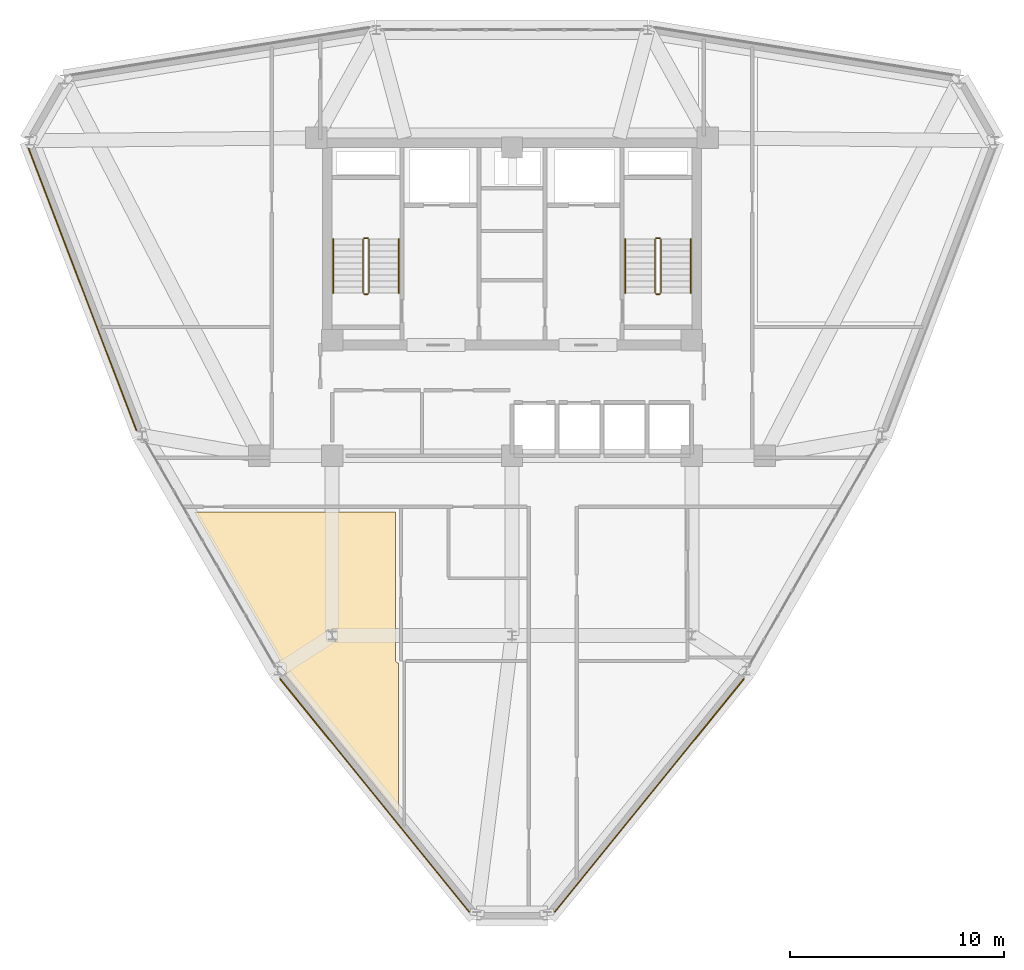
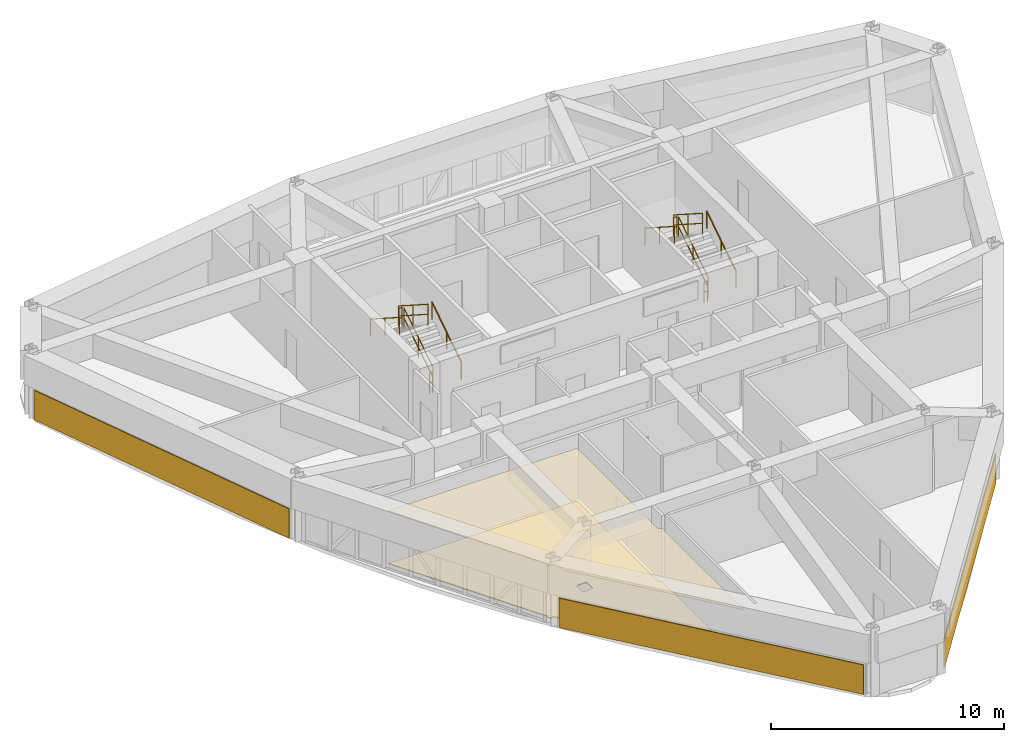
# One storey, part 13 of 14: 12 railings, 5 coverings.
"""IFC4 building model written with IfcOpenShell, lengths in metres."""

from ifc_helpers import new_model, si_unit, derived_unit, direction, frame, origin, origin_2d, place, context, subcontext, project, spatial, polyline, circle, outline, extrude, material, layer, layer_set, type_object, element, save


model = new_model("IFC4")

# Units and contexts
model_context = context("Model", 3, precision=1e-05, world=origin(), true_north=direction((0.0, 1.0)))
body_context = subcontext(model_context, "Body", "Model", "MODEL_VIEW")
ifc_project = project(units=[si_unit("LENGTHUNIT", "METRE"), si_unit("AREAUNIT", "SQUARE_METRE"), si_unit("VOLUMEUNIT", "CUBIC_METRE"), si_unit("PLANEANGLEUNIT", "RADIAN"), si_unit("MASSUNIT", "GRAM", prefix="KILO"), derived_unit("THERMALTRANSMITTANCEUNIT", [(si_unit("POWERUNIT", "WATT"), 1), (si_unit("LENGTHUNIT", "METRE"), -2), (si_unit("THERMODYNAMICTEMPERATUREUNIT", "KELVIN"), -1)])], contexts=[model_context])

# Site, building, storey
site_placement = place(None, origin())
site = spatial("IfcSite", under=ifc_project, at=site_placement, CompositionType="ELEMENT")
building_placement = place(site_placement, origin())
building = spatial("IfcBuilding", under=site, at=building_placement, Name="Korsvarv Bourse and Concert Hall", CompositionType="ELEMENT")
storey_placement = place(building_placement, frame((0.0, 0.0, 175.800048828125)))
storey = spatial("IfcBuildingStorey", under=building, at=storey_placement, Name="L45", CompositionType="ELEMENT", Elevation=175.800048828125)

# Coverings
ifc_material_1 = material(Name="Perforated mineral-wool and birch acoustic baffle ceiling", Category="wood")
ifc_layer_1 = layer(ifc_material_1, 0.02490234375)
ifc_layer_set_1 = layer_set([ifc_layer_1], Name="Perforated mineral-wool and birch acoustic baffle ceiling")
covering_type_1 = type_object("IfcCoveringType", Name="COV-CEIL-1", PredefinedType="CEILING", material=ifc_layer_set_1)
covering_1_placement = place(storey_placement, frame((0.0, 0.0, 2.780029296875)))
element("IfcCovering", 1, at=covering_1_placement, inside=storey, type_object=covering_type_1, Name="L45 acoustic baffle ceiling 3", PredefinedType="CEILING", context=body_context, shape_type="SweptSolid", body=[
    extrude(outline(polyline([(25.084228515625, 22.755615234375), (25.10205078125, 22.785400390625), (25.11376953125, 22.81787109375), (25.118896484375, 22.85205078125), (25.11767578125, 22.88671875), (25.109619140625, 22.92041015625), (25.09521484375, 22.951904296875), (21.172119140625, 29.77001953125), (30.550048828125, 29.77001953125), (30.550048828125, 22.889892578125), (30.5537109375, 22.853759765625), (30.564697265625, 22.819091796875), (30.582275390625, 22.787109375), (30.60595703125, 22.759521484375), (30.634765625, 22.7373046875), (30.66748046875, 22.72119140625), (30.70263671875, 22.712158203125), (30.7099609375, 15.679931640625), (25.444091796875, 22.1689453125), (25.453369140625, 22.56005859375), (25.45068359375, 22.59521484375), (25.44140625, 22.62890625), (25.425537109375, 22.660400390625), (25.404052734375, 22.688232421875), (25.37744140625, 22.711181640625), (25.346923828125, 22.728515625), (25.313720703125, 22.73974609375), (25.27880859375, 22.744140625), (25.084228515625, 22.755615234375)]), holes=[polyline([(27.37939453125, 23.734619140625), (27.805908203125, 23.732421875), (27.82958984375, 23.73828125), (27.84765625, 23.754638671875), (27.855712890625, 23.777587890625), (27.85595703125, 24.217529296875), (27.85009765625, 24.2412109375), (27.833740234375, 24.259033203125), (27.810791015625, 24.267333984375), (27.39404296875, 24.267578125), (27.370361328125, 24.26171875), (27.352294921875, 24.245361328125), (27.34423828125, 24.222412109375), (27.343994140625, 23.782470703125), (27.349853515625, 23.7587890625), (27.37939453125, 23.734619140625)])]), origin(), (0.0, 0.0, 1.0), 0.02490234375),
])
ifc_material_2 = material(Name="Warm iron-oxide extruded terracotta rainscreen tile", Category="ceramic")
ifc_layer_2 = layer(ifc_material_2, 0.044921875)
ifc_layer_set_2 = layer_set([ifc_layer_2], Name="Warm iron-oxide extruded terracotta rainscreen tile")
covering_type_2 = type_object("IfcCoveringType", Name="COV-CLD-TC", PredefinedType="CLADDING", material=ifc_layer_set_2)
covering_2_placement = place(storey_placement, origin())
element("IfcCovering", 2, at=covering_2_placement, inside=storey, type_object=covering_type_2, Name="L45 fluted terracotta cladding panel EW-L45-B06", PredefinedType="CLADDING", context=body_context, shape_type="SweptSolid", body=[
    extrude(outline(polyline([(13.43017578125, 46.7783203125), (18.478271484375, 33.58740234375), (18.436279296875, 33.5712890625), (13.38818359375, 46.76220703125), (13.43017578125, 46.7783203125)])), origin(), (0.0, 0.0, 1.0), 1.550048828125),
])
covering_3_placement = place(storey_placement, origin())
element("IfcCovering", 3, at=covering_3_placement, inside=storey, type_object=covering_type_2, Name="L45 fluted terracotta cladding panel EW-L45-B08", PredefinedType="CLADDING", context=body_context, shape_type="SweptSolid", body=[
    extrude(outline(polyline([(25.1787109375, 21.99609375), (34.0205078125, 11.1005859375), (33.9853515625, 11.072265625), (25.143798828125, 21.9677734375), (25.1787109375, 21.99609375)])), origin(), (0.0, 0.0, 1.0), 1.550048828125),
])
covering_4_placement = place(storey_placement, origin())
element("IfcCovering", 4, at=covering_4_placement, inside=storey, type_object=covering_type_2, Name="L45 fluted terracotta cladding panel EW-L45-B10", PredefinedType="CLADDING", context=body_context, shape_type="SweptSolid", body=[
    extrude(outline(polyline([(37.9794921875, 11.1005859375), (46.8212890625, 21.99609375), (46.856201171875, 21.9677734375), (38.0146484375, 11.072265625), (37.9794921875, 11.1005859375)])), origin(), (0.0, 0.0, 1.0), 1.550048828125),
])
ifc_material_3 = material(Name="Calcium-sulphate raised access trading floor with Nordic oak top", Category="wood")
ifc_layer_3 = layer(ifc_material_3, 0.0400390625)
ifc_layer_set_3 = layer_set([ifc_layer_3], Name="Calcium-sulphate raised access trading floor with Nordic oak top")
covering_type_3 = type_object("IfcCoveringType", Name="COV-FLOR-1", PredefinedType="FLOORING", material=ifc_layer_set_3)
covering_5_placement = place(storey_placement, origin())
element("IfcCovering", 5, at=covering_5_placement, inside=storey, type_object=covering_type_3, Name="L45 raised access oak floor finish 3", PredefinedType="FLOORING", context=body_context, shape_type="SweptSolid", body=[
    extrude(outline(polyline([(25.084228515625, 22.755615234375), (25.10205078125, 22.785400390625), (25.11376953125, 22.81787109375), (25.118896484375, 22.85205078125), (25.11767578125, 22.88671875), (25.109619140625, 22.92041015625), (25.09521484375, 22.951904296875), (21.172119140625, 29.77001953125), (30.550048828125, 29.77001953125), (30.550048828125, 22.889892578125), (30.5537109375, 22.853759765625), (30.564697265625, 22.819091796875), (30.582275390625, 22.787109375), (30.60595703125, 22.759521484375), (30.634765625, 22.7373046875), (30.66748046875, 22.72119140625), (30.70263671875, 22.712158203125), (30.7099609375, 15.679931640625), (25.444091796875, 22.1689453125), (25.453369140625, 22.56005859375), (25.45068359375, 22.59521484375), (25.44140625, 22.62890625), (25.425537109375, 22.660400390625), (25.404052734375, 22.688232421875), (25.37744140625, 22.711181640625), (25.346923828125, 22.728515625), (25.313720703125, 22.73974609375), (25.27880859375, 22.744140625), (25.084228515625, 22.755615234375)]), holes=[polyline([(27.37939453125, 23.734619140625), (27.805908203125, 23.732421875), (27.82958984375, 23.73828125), (27.84765625, 23.754638671875), (27.855712890625, 23.777587890625), (27.85595703125, 24.217529296875), (27.85009765625, 24.2412109375), (27.833740234375, 24.259033203125), (27.810791015625, 24.267333984375), (27.39404296875, 24.267578125), (27.370361328125, 24.26171875), (27.352294921875, 24.245361328125), (27.34423828125, 24.222412109375), (27.343994140625, 23.782470703125), (27.349853515625, 23.7587890625), (27.37939453125, 23.734619140625)])]), origin(), (0.0, 0.0, 1.0), 0.0400390625),
])

# Railings
ifc_material_4 = material(Name="Painted Steel S355 stair well guardrail", Category="steel")
railing_type_1 = type_object("IfcRailingType", Name="RL-ST-GRD", PredefinedType="GUARDRAIL", material=ifc_material_4)
railing_1_placement = place(storey_placement, frame((29.31005859375, 40.0, 0.179931640625)))
element("IfcRailing", 6, at=railing_1_placement, inside=storey, type_object=railing_type_1, Name="L45 ST-T1 stair guard 1", PredefinedType="GUARDRAIL", context=body_context, shape_type="SweptSolid", body=[
    extrude(circle(Radius=0.02392578125, at=origin_2d()), frame((0.0, 0.0, 1.076171875), z_axis=(0.0, 0.841162588446, 0.540782303519), x_axis=(-1.0, 0.0, 0.0)), (0.0, 0.0, 1.0), 2.995849609375),
    extrude(circle(Radius=0.02392578125, at=origin_2d()), frame((0.0, 0.0, 0.550048828125), z_axis=(0.0, 0.841162588446, 0.540782303519), x_axis=(-1.0, 0.0, 0.0)), (0.0, 0.0, 1.0), 2.995849609375),
    extrude(circle(Radius=0.02099609375, at=origin_2d()), origin(), (0.0, 0.0, 1.0), 1.052001953125),
    extrude(circle(Radius=0.02099609375, at=origin_2d()), frame((0.0, 1.260009765625, 0.81005859375)), (0.0, 0.0, 1.0), 1.052001953125),
    extrude(circle(Radius=0.02099609375, at=origin_2d()), frame((0.0, 2.52001953125, 1.6201171875)), (0.0, 0.0, 1.0), 1.052001953125),
])
railing_2_placement = place(storey_placement, frame((29.260009765625, 42.570068359375, 1.800048828125)))
element("IfcRailing", 7, at=railing_2_placement, inside=storey, type_object=railing_type_1, Name="L45 ST-T1 stair guard 2", PredefinedType="GUARDRAIL", context=body_context, shape_type="SweptSolid", body=[
    extrude(circle(Radius=0.02392578125, at=origin_2d()), frame((0.0, 0.0, 1.076171875), z_axis=(-1.0, 0.0, 0.0), x_axis=(0.0, -1.0, 0.0)), (0.0, 0.0, 1.0), 0.159912109375),
    extrude(circle(Radius=0.02392578125, at=origin_2d()), frame((0.0, 0.0, 0.550048828125), z_axis=(-1.0, 0.0, 0.0), x_axis=(0.0, -1.0, 0.0)), (0.0, 0.0, 1.0), 0.159912109375),
    extrude(circle(Radius=0.02099609375, at=origin_2d()), origin(), (0.0, 0.0, 1.0), 1.052001953125),
    extrude(circle(Radius=0.02099609375, at=origin_2d()), frame((-0.159912109375, 0.0, 0.0)), (0.0, 0.0, 1.0), 1.052001953125),
])
railing_3_placement = place(storey_placement, frame((29.050048828125, 42.52001953125, 1.97998046875)))
element("IfcRailing", 8, at=railing_3_placement, inside=storey, type_object=railing_type_1, Name="L45 ST-T1 stair guard 3", PredefinedType="GUARDRAIL", context=body_context, shape_type="SweptSolid", body=[
    extrude(circle(Radius=0.02392578125, at=origin_2d()), frame((0.0, 0.0, 1.076171875), z_axis=(0.0, -0.841199657755, 0.540724639528), x_axis=(1.0, 0.0, 0.0)), (0.0, 0.0, 1.0), 2.995849609375),
    extrude(circle(Radius=0.02392578125, at=origin_2d()), frame((0.0, 0.0, 0.550048828125), z_axis=(0.0, -0.841199657755, 0.540724639528), x_axis=(1.0, 0.0, 0.0)), (0.0, 0.0, 1.0), 2.995849609375),
    extrude(circle(Radius=0.02099609375, at=origin_2d()), origin(), (0.0, 0.0, 1.0), 1.052001953125),
    extrude(circle(Radius=0.02099609375, at=origin_2d()), frame((0.0, -1.260009765625, 0.81005859375)), (0.0, 0.0, 1.0), 1.052001953125),
    extrude(circle(Radius=0.02099609375, at=origin_2d()), frame((0.0, -2.52001953125, 1.619873046875)), (0.0, 0.0, 1.0), 1.052001953125),
])
railing_4_placement = place(storey_placement, frame((29.260009765625, 39.949951171875, 0.0)))
element("IfcRailing", 9, at=railing_4_placement, inside=storey, type_object=railing_type_1, Name="L45 ST-T1 stair guard 4", PredefinedType="GUARDRAIL", context=body_context, shape_type="SweptSolid", body=[
    extrude(circle(Radius=0.02392578125, at=origin_2d()), frame((0.0, 0.0, 1.076171875), z_axis=(-1.0, 0.0, 0.0), x_axis=(0.0, -1.0, 0.0)), (0.0, 0.0, 1.0), 0.159912109375),
    extrude(circle(Radius=0.02392578125, at=origin_2d()), frame((0.0, 0.0, 0.550048828125), z_axis=(-1.0, 0.0, 0.0), x_axis=(0.0, -1.0, 0.0)), (0.0, 0.0, 1.0), 0.159912109375),
    extrude(circle(Radius=0.02099609375, at=origin_2d()), origin(), (0.0, 0.0, 1.0), 1.052001953125),
    extrude(circle(Radius=0.02099609375, at=origin_2d()), frame((-0.159912109375, 0.0, 0.0)), (0.0, 0.0, 1.0), 1.052001953125),
])
railing_5_placement = place(storey_placement, frame((42.949951171875, 40.0, 0.179931640625)))
element("IfcRailing", 10, at=railing_5_placement, inside=storey, type_object=railing_type_1, Name="L45 ST-T2 stair guard 1", PredefinedType="GUARDRAIL", context=body_context, shape_type="SweptSolid", body=[
    extrude(circle(Radius=0.02392578125, at=origin_2d()), frame((0.0, 0.0, 1.076171875), z_axis=(0.0, 0.841162588446, 0.540782303519), x_axis=(-1.0, 0.0, 0.0)), (0.0, 0.0, 1.0), 2.995849609375),
    extrude(circle(Radius=0.02392578125, at=origin_2d()), frame((0.0, 0.0, 0.550048828125), z_axis=(0.0, 0.841162588446, 0.540782303519), x_axis=(-1.0, 0.0, 0.0)), (0.0, 0.0, 1.0), 2.995849609375),
    extrude(circle(Radius=0.02099609375, at=origin_2d()), origin(), (0.0, 0.0, 1.0), 1.052001953125),
    extrude(circle(Radius=0.02099609375, at=origin_2d()), frame((0.0, 1.260009765625, 0.81005859375)), (0.0, 0.0, 1.0), 1.052001953125),
    extrude(circle(Radius=0.02099609375, at=origin_2d()), frame((0.0, 2.52001953125, 1.6201171875)), (0.0, 0.0, 1.0), 1.052001953125),
])
railing_6_placement = place(storey_placement, frame((42.89990234375, 42.570068359375, 1.800048828125)))
element("IfcRailing", 11, at=railing_6_placement, inside=storey, type_object=railing_type_1, Name="L45 ST-T2 stair guard 2", PredefinedType="GUARDRAIL", context=body_context, shape_type="SweptSolid", body=[
    extrude(circle(Radius=0.02392578125, at=origin_2d()), frame((0.0, 0.0, 1.076171875), z_axis=(-1.0, 0.0, 0.0), x_axis=(0.0, -1.0, 0.0)), (0.0, 0.0, 1.0), 0.159912109375),
    extrude(circle(Radius=0.02392578125, at=origin_2d()), frame((0.0, 0.0, 0.550048828125), z_axis=(-1.0, 0.0, 0.0), x_axis=(0.0, -1.0, 0.0)), (0.0, 0.0, 1.0), 0.159912109375),
    extrude(circle(Radius=0.02099609375, at=origin_2d()), origin(), (0.0, 0.0, 1.0), 1.052001953125),
    extrude(circle(Radius=0.02099609375, at=origin_2d()), frame((-0.159912109375, 0.0, 0.0)), (0.0, 0.0, 1.0), 1.052001953125),
])
railing_7_placement = place(storey_placement, frame((42.68994140625, 42.52001953125, 1.97998046875)))
element("IfcRailing", 12, at=railing_7_placement, inside=storey, type_object=railing_type_1, Name="L45 ST-T2 stair guard 3", PredefinedType="GUARDRAIL", context=body_context, shape_type="SweptSolid", body=[
    extrude(circle(Radius=0.02392578125, at=origin_2d()), frame((0.0, 0.0, 1.076171875), z_axis=(0.0, -0.841199657755, 0.540724639528), x_axis=(1.0, 0.0, 0.0)), (0.0, 0.0, 1.0), 2.995849609375),
    extrude(circle(Radius=0.02392578125, at=origin_2d()), frame((0.0, 0.0, 0.550048828125), z_axis=(0.0, -0.841199657755, 0.540724639528), x_axis=(1.0, 0.0, 0.0)), (0.0, 0.0, 1.0), 2.995849609375),
    extrude(circle(Radius=0.02099609375, at=origin_2d()), origin(), (0.0, 0.0, 1.0), 1.052001953125),
    extrude(circle(Radius=0.02099609375, at=origin_2d()), frame((0.0, -1.260009765625, 0.81005859375)), (0.0, 0.0, 1.0), 1.052001953125),
    extrude(circle(Radius=0.02099609375, at=origin_2d()), frame((0.0, -2.52001953125, 1.619873046875)), (0.0, 0.0, 1.0), 1.052001953125),
])
railing_8_placement = place(storey_placement, frame((42.89990234375, 39.949951171875, 0.0)))
element("IfcRailing", 13, at=railing_8_placement, inside=storey, type_object=railing_type_1, Name="L45 ST-T2 stair guard 4", PredefinedType="GUARDRAIL", context=body_context, shape_type="SweptSolid", body=[
    extrude(circle(Radius=0.02392578125, at=origin_2d()), frame((0.0, 0.0, 1.076171875), z_axis=(-1.0, 0.0, 0.0), x_axis=(0.0, -1.0, 0.0)), (0.0, 0.0, 1.0), 0.159912109375),
    extrude(circle(Radius=0.02392578125, at=origin_2d()), frame((0.0, 0.0, 0.550048828125), z_axis=(-1.0, 0.0, 0.0), x_axis=(0.0, -1.0, 0.0)), (0.0, 0.0, 1.0), 0.159912109375),
    extrude(circle(Radius=0.02099609375, at=origin_2d()), origin(), (0.0, 0.0, 1.0), 1.052001953125),
    extrude(circle(Radius=0.02099609375, at=origin_2d()), frame((-0.159912109375, 0.0, 0.0)), (0.0, 0.0, 1.0), 1.052001953125),
])
ifc_material_5 = material(Name="Brushed stainless Steel S355 tubular handrail", Category="steel")
railing_type_2 = type_object("IfcRailingType", Name="RL-ST-HND", PredefinedType="HANDRAIL", material=ifc_material_5)
railing_9_placement = place(storey_placement, frame((30.7099609375, 40.0, 0.179931640625)))
element("IfcRailing", 14, at=railing_9_placement, inside=storey, type_object=railing_type_2, Name="L45 ST-T1 stair handrail 1", PredefinedType="HANDRAIL", context=body_context, shape_type="SweptSolid", body=[
    extrude(circle(Radius=0.02392578125, at=origin_2d()), frame((0.0, 0.0, 0.8759765625), z_axis=(0.0, 0.841162588446, 0.540782303519), x_axis=(-1.0, 0.0, 0.0)), (0.0, 0.0, 1.0), 2.995849609375),
    extrude(circle(Radius=0.02099609375, at=origin_2d()), origin(), (0.0, 0.0, 1.0), 0.851806640625),
    extrude(circle(Radius=0.02099609375, at=origin_2d()), frame((0.0, 1.260009765625, 0.81005859375)), (0.0, 0.0, 1.0), 0.851806640625),
    extrude(circle(Radius=0.02099609375, at=origin_2d()), frame((0.0, 2.52001953125, 1.6201171875)), (0.0, 0.0, 1.0), 0.851806640625),
])
railing_10_placement = place(storey_placement, frame((27.64990234375, 42.52001953125, 1.97998046875)))
element("IfcRailing", 15, at=railing_10_placement, inside=storey, type_object=railing_type_2, Name="L45 ST-T1 stair handrail 2", PredefinedType="HANDRAIL", context=body_context, shape_type="SweptSolid", body=[
    extrude(circle(Radius=0.02392578125, at=origin_2d()), frame((0.0, 0.0, 0.8759765625), z_axis=(0.0, -0.841199657755, 0.540724639528), x_axis=(1.0, 0.0, 0.0)), (0.0, 0.0, 1.0), 2.995849609375),
    extrude(circle(Radius=0.02099609375, at=origin_2d()), origin(), (0.0, 0.0, 1.0), 0.851806640625),
    extrude(circle(Radius=0.02099609375, at=origin_2d()), frame((0.0, -1.260009765625, 0.81005859375)), (0.0, 0.0, 1.0), 0.851806640625),
    extrude(circle(Radius=0.02099609375, at=origin_2d()), frame((0.0, -2.52001953125, 1.619873046875)), (0.0, 0.0, 1.0), 0.851806640625),
])
railing_11_placement = place(storey_placement, frame((44.35009765625, 40.0, 0.179931640625)))
element("IfcRailing", 16, at=railing_11_placement, inside=storey, type_object=railing_type_2, Name="L45 ST-T2 stair handrail 1", PredefinedType="HANDRAIL", context=body_context, shape_type="SweptSolid", body=[
    extrude(circle(Radius=0.02392578125, at=origin_2d()), frame((0.0, 0.0, 0.8759765625), z_axis=(0.0, 0.841162588446, 0.540782303519), x_axis=(-1.0, 0.0, 0.0)), (0.0, 0.0, 1.0), 2.995849609375),
    extrude(circle(Radius=0.02099609375, at=origin_2d()), origin(), (0.0, 0.0, 1.0), 0.851806640625),
    extrude(circle(Radius=0.02099609375, at=origin_2d()), frame((0.0, 1.260009765625, 0.81005859375)), (0.0, 0.0, 1.0), 0.851806640625),
    extrude(circle(Radius=0.02099609375, at=origin_2d()), frame((0.0, 2.52001953125, 1.6201171875)), (0.0, 0.0, 1.0), 0.851806640625),
])
railing_12_placement = place(storey_placement, frame((41.2900390625, 42.52001953125, 1.97998046875)))
element("IfcRailing", 17, at=railing_12_placement, inside=storey, type_object=railing_type_2, Name="L45 ST-T2 stair handrail 2", PredefinedType="HANDRAIL", context=body_context, shape_type="SweptSolid", body=[
    extrude(circle(Radius=0.02392578125, at=origin_2d()), frame((0.0, 0.0, 0.8759765625), z_axis=(0.0, -0.841199657755, 0.540724639528), x_axis=(1.0, 0.0, 0.0)), (0.0, 0.0, 1.0), 2.995849609375),
    extrude(circle(Radius=0.02099609375, at=origin_2d()), origin(), (0.0, 0.0, 1.0), 0.851806640625),
    extrude(circle(Radius=0.02099609375, at=origin_2d()), frame((0.0, -1.260009765625, 0.81005859375)), (0.0, 0.0, 1.0), 0.851806640625),
    extrude(circle(Radius=0.02099609375, at=origin_2d()), frame((0.0, -2.52001953125, 1.619873046875)), (0.0, 0.0, 1.0), 0.851806640625),
])

save(model, "model.ifc")
